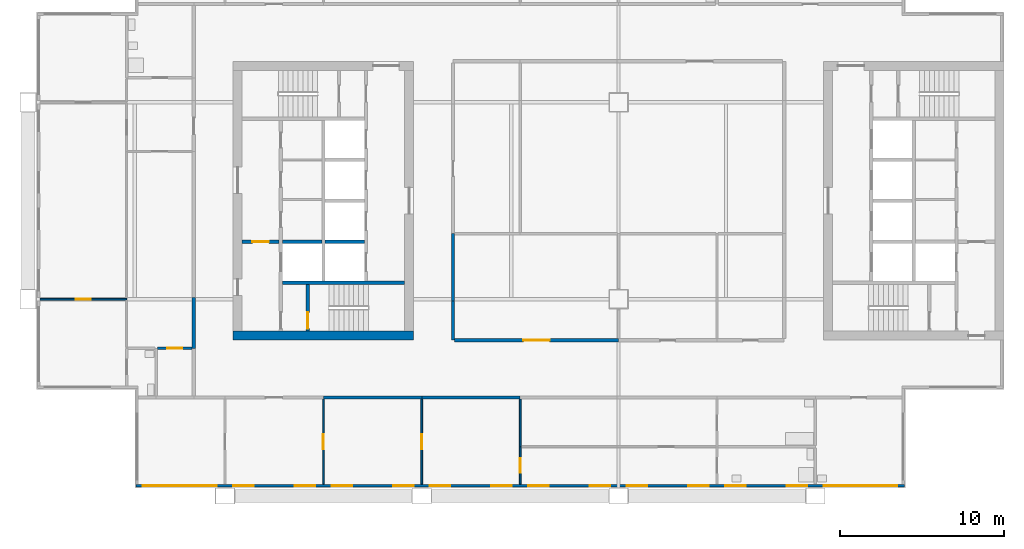
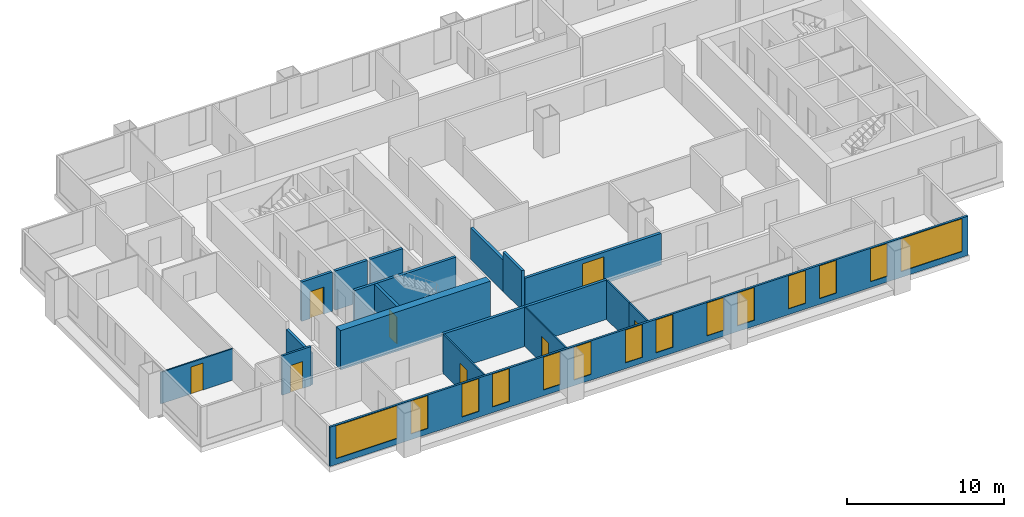
# One storey, part 2 of 9: 19 walls, 14 windows, 8 doors, 22 openings.
"""IFC4 building model written with IfcOpenShell, lengths in metres."""

from ifc_helpers import new_model, si_unit, direction, frame, frame_2d, origin, place, context, subcontext, project, spatial, rectangle, extrude, material, layer, layer_set, type_object, element, fill, save


model = new_model("IFC4")

# Units and contexts
model_context = context("Model", 3, precision=1e-05, world=origin(), true_north=direction((0.0, 1.0)))
body_context = subcontext(model_context, "Body", "Model", "MODEL_VIEW")
ifc_project = project(units=[si_unit("LENGTHUNIT", "METRE"), si_unit("AREAUNIT", "SQUARE_METRE"), si_unit("VOLUMEUNIT", "CUBIC_METRE"), si_unit("PLANEANGLEUNIT", "RADIAN"), si_unit("MASSUNIT", "GRAM", prefix="KILO")], contexts=[model_context])

# Site, building, storey
site_placement = place(None, origin())
site = spatial("IfcSite", under=ifc_project, at=site_placement, CompositionType="ELEMENT")
building_placement = place(site_placement, origin())
building = spatial("IfcBuilding", under=site, at=building_placement, Name="Kitamizu Gate Tower and Museum", CompositionType="ELEMENT")
storey_placement = place(building_placement, frame((0.0, 0.0, 196.199951171875)))
storey = spatial("IfcBuildingStorey", under=building, at=storey_placement, Name="L52", CompositionType="ELEMENT", Elevation=196.199951171875)

# Wall
ifc_material_1 = material(Name="Concrete Fc42", Category="concrete")
ifc_layer_1 = layer(ifc_material_1, 0.550048828125)
ifc_layer_set_1 = layer_set([ifc_layer_1], Name="Concrete Fc42")
wall_type_1 = type_object("IfcWallType", Name="Core wall 550", PredefinedType="SHEAR", material=ifc_layer_set_1)
wall_1_placement = place(storey_placement, frame((12.5, 21.77490234375, 0.0), z_axis=(0.0, 0.0, 1.0), x_axis=(1.0, 0.0, 0.0)))
element("IfcWall", 1, at=wall_1_placement, inside=storey, type_object=wall_type_1, Name="Core wall WS", PredefinedType="SHEAR", context=body_context, shape_type="SweptSolid", body=[
    extrude(rectangle(XDim=11.0, YDim=0.550048828125, at=frame_2d((5.5, 0.0))), origin(), (0.0, 0.0, 1.0), 3.050048828125),
])

# Wall, opening, door
ifc_material_2 = material(Name="Gypsum board on galvanised stud")
ifc_layer_2 = layer(ifc_material_2, 0.10009765625)
ifc_layer_set_2 = layer_set([ifc_layer_2], Name="Gypsum board on galvanised stud")
wall_type_2 = type_object("IfcWallType", Name="Partition 100 NOT RATED", PredefinedType="PARTITIONING", material=ifc_layer_set_2)
wall_2_placement = place(storey_placement, frame((18.0, 12.719970703125, 0.0), z_axis=(0.0, 0.0, 1.0), x_axis=(0.0, 1.0, 0.0)))
wall_2 = element("IfcWall", 2, at=wall_2_placement, inside=storey, type_object=wall_type_2, Name="Partition L52-005", PredefinedType="PARTITIONING", context=body_context, shape_type="SweptSolid", body=[
    extrude(rectangle(XDim=5.179931640625, YDim=0.10009765625, at=frame_2d((2.58984375, 0.0))), origin(), (0.0, 0.0, 1.0), 3.050048828125),
])
opening_1_placement = place(wall_2_placement, frame((2.139892578125, 0.0, 0.0)))
opening_1 = element("IfcOpeningElement", 3, at=opening_1_placement, cuts=wall_2, Name="Opening L52-003", PredefinedType="OPENING", context=body_context, shape_type="SweptSolid", body=[
    extrude(rectangle(XDim=0.89990234375, YDim=2.10009765625, at=frame_2d((0.449951171875, 1.050048828125))), frame((0.0, 0.06005859375, 0.0), z_axis=(0.0, -1.0, 0.0), x_axis=(1.0, 0.0, 0.0)), (0.0, 0.0, 1.0), 0.1201171875),
])
ifc_material_3 = material(Name="Timber door set", Category="wood")
door_type_1 = type_object("IfcDoorType", Name="Room door 900", OperationType="NOTDEFINED", PredefinedType="DOOR", material=ifc_material_3)
door_1_placement = place(opening_1_placement, frame((0.89990234375, 0.0, 0.0), x_axis=(-1.0, 0.0, 0.0)))
door_1 = element("IfcDoor", 4, at=door_1_placement, inside=storey, type_object=door_type_1, Name="Door L52-003", OperationType="SINGLE_SWING_LEFT", OverallHeight=2.10009765625, OverallWidth=0.89990234375, PredefinedType="DOOR", context=body_context, shape_type="SweptSolid", body=[
    extrude(rectangle(XDim=0.89990234375, YDim=2.10009765625, at=frame_2d((0.449951171875, 1.050048828125))), frame((0.0, 0.02490234375, 0.0), z_axis=(0.0, -1.0, 0.0), x_axis=(1.0, 0.0, 0.0)), (0.0, 0.0, 1.0), 0.050048828125),
])
fill(opening_1, door_1)

wall_3_placement = place(storey_placement, frame((24.0, 12.719970703125, 0.0), z_axis=(0.0, 0.0, 1.0), x_axis=(0.0, 1.0, 0.0)))
wall_3 = element("IfcWall", 5, at=wall_3_placement, inside=storey, type_object=wall_type_2, Name="Partition L52-007", PredefinedType="PARTITIONING", context=body_context, shape_type="SweptSolid", body=[
    extrude(rectangle(XDim=5.179931640625, YDim=0.10009765625, at=frame_2d((2.58984375, 0.0))), origin(), (0.0, 0.0, 1.0), 3.050048828125),
])
opening_2_placement = place(wall_3_placement, frame((2.139892578125, 0.0, 0.0)))
opening_2 = element("IfcOpeningElement", 6, at=opening_2_placement, cuts=wall_3, Name="Opening L52-004", PredefinedType="OPENING", context=body_context, shape_type="SweptSolid", body=[
    extrude(rectangle(XDim=0.89990234375, YDim=2.10009765625, at=frame_2d((0.449951171875, 1.050048828125))), frame((0.0, 0.06005859375, 0.0), z_axis=(0.0, -1.0, 0.0), x_axis=(1.0, 0.0, 0.0)), (0.0, 0.0, 1.0), 0.1201171875),
])
door_2_placement = place(opening_2_placement, origin())
door_2 = element("IfcDoor", 7, at=door_2_placement, inside=storey, type_object=door_type_1, Name="Door L52-004", OperationType="SINGLE_SWING_LEFT", OverallHeight=2.10009765625, OverallWidth=0.89990234375, PredefinedType="DOOR", context=body_context, shape_type="SweptSolid", body=[
    extrude(rectangle(XDim=0.89990234375, YDim=2.10009765625, at=frame_2d((0.449951171875, 1.050048828125))), frame((0.0, 0.02490234375, 0.0), z_axis=(0.0, -1.0, 0.0), x_axis=(1.0, 0.0, 0.0)), (0.0, 0.0, 1.0), 0.050048828125),
])
fill(opening_2, door_2)

wall_4_placement = place(storey_placement, frame((30.0, 12.719970703125, 0.0), z_axis=(0.0, 0.0, 1.0), x_axis=(0.0, 1.0, 0.0)))
wall_4 = element("IfcWall", 8, at=wall_4_placement, inside=storey, type_object=wall_type_2, Name="Partition L52-009", PredefinedType="PARTITIONING", context=body_context, shape_type="SweptSolid", body=[
    extrude(rectangle(XDim=2.280029296875, YDim=0.10009765625, at=frame_2d((1.14013671875, 0.0))), origin(), (0.0, 0.0, 1.0), 3.050048828125),
])
opening_3_placement = place(wall_4_placement, frame((0.68994140625, 0.0, 0.0)))
opening_3 = element("IfcOpeningElement", 9, at=opening_3_placement, cuts=wall_4, Name="Opening L52-005", PredefinedType="OPENING", context=body_context, shape_type="SweptSolid", body=[
    extrude(rectangle(XDim=0.89990234375, YDim=2.10009765625, at=frame_2d((0.449951171875, 1.050048828125))), frame((0.0, 0.06005859375, 0.0), z_axis=(0.0, -1.0, 0.0), x_axis=(1.0, 0.0, 0.0)), (0.0, 0.0, 1.0), 0.1201171875),
])
door_3_placement = place(opening_3_placement, frame((0.89990234375, 0.0, 0.0), x_axis=(-1.0, 0.0, 0.0)))
door_3 = element("IfcDoor", 10, at=door_3_placement, inside=storey, type_object=door_type_1, Name="Door L52-005", OperationType="SINGLE_SWING_LEFT", OverallHeight=2.10009765625, OverallWidth=0.89990234375, PredefinedType="DOOR", context=body_context, shape_type="SweptSolid", body=[
    extrude(rectangle(XDim=0.89990234375, YDim=2.10009765625, at=frame_2d((0.449951171875, 1.050048828125))), frame((0.0, 0.02490234375, 0.0), z_axis=(0.0, -1.0, 0.0), x_axis=(1.0, 0.0, 0.0)), (0.0, 0.0, 1.0), 0.050048828125),
])
fill(opening_3, door_3)

# Wall
wall_5_placement = place(storey_placement, frame((30.0, 15.0, 0.0), z_axis=(0.0, 0.0, 1.0), x_axis=(0.0, 1.0, 0.0)))
element("IfcWall", 11, at=wall_5_placement, inside=storey, type_object=wall_type_2, Name="Partition L52-010", PredefinedType="PARTITIONING", context=body_context, shape_type="SweptSolid", body=[
    extrude(rectangle(XDim=2.89990234375, YDim=0.10009765625, at=frame_2d((1.449951171875, 0.0))), origin(), (0.0, 0.0, 1.0), 3.050048828125),
])

# Wall, opening, door
wall_6_placement = place(storey_placement, frame((6.0, 24.0, 0.0), z_axis=(0.0, 0.0, 1.0), x_axis=(-1.0, 0.0, 0.0)))
wall_6 = element("IfcWall", 12, at=wall_6_placement, inside=storey, type_object=wall_type_2, Name="Partition L52-038", PredefinedType="PARTITIONING", context=body_context, shape_type="SweptSolid", body=[
    extrude(rectangle(XDim=5.280029296875, YDim=0.10009765625, at=frame_2d((2.64013671875, 0.0))), origin(), (0.0, 0.0, 1.0), 2.449951171875),
])
opening_4_placement = place(wall_6_placement, frame((2.18994140625, 0.0, 0.0)))
opening_4 = element("IfcOpeningElement", 13, at=opening_4_placement, cuts=wall_6, Name="Opening L52-019", PredefinedType="OPENING", context=body_context, shape_type="SweptSolid", body=[
    extrude(rectangle(XDim=0.89990234375, YDim=2.10009765625, at=frame_2d((0.449951171875, 1.050048828125))), frame((0.0, 0.06005859375, 0.0), z_axis=(0.0, -1.0, 0.0), x_axis=(1.0, 0.0, 0.0)), (0.0, 0.0, 1.0), 0.1201171875),
])
door_4_placement = place(opening_4_placement, origin())
door_4 = element("IfcDoor", 14, at=door_4_placement, inside=storey, type_object=door_type_1, Name="Door L52-019", OperationType="SINGLE_SWING_RIGHT", OverallHeight=2.10009765625, OverallWidth=0.89990234375, PredefinedType="DOOR", context=body_context, shape_type="SweptSolid", body=[
    extrude(rectangle(XDim=0.89990234375, YDim=2.10009765625, at=frame_2d((0.449951171875, 1.050048828125))), frame((0.0, 0.02490234375, 0.0), z_axis=(0.0, -1.0, 0.0), x_axis=(1.0, 0.0, 0.0)), (0.0, 0.0, 1.0), 0.050048828125),
])
fill(opening_4, door_4)

ifc_material_4 = material(Name="Gypsum board on galvanised stud")
ifc_layer_3 = layer(ifc_material_4, 0.14990234375)
ifc_layer_set_3 = layer_set([ifc_layer_3], Name="Gypsum board on galvanised stud")
wall_type_3 = type_object("IfcWallType", Name="Partition 150", PredefinedType="PARTITIONING", material=ifc_layer_set_3)
wall_7_placement = place(storey_placement, frame((10.0, 21.0, 0.0), z_axis=(0.0, 0.0, 1.0), x_axis=(-1.0, 0.0, 0.0)))
wall_7 = element("IfcWall", 15, at=wall_7_placement, inside=storey, type_object=wall_type_3, Name="Partition L52-048", PredefinedType="PARTITIONING", context=body_context, shape_type="SweptSolid", body=[
    extrude(rectangle(XDim=2.125, YDim=0.14990234375, at=frame_2d((1.0625, 0.0))), origin(), (0.0, 0.0, 1.0), 3.050048828125),
])
opening_5_placement = place(wall_7_placement, frame((0.612548828125, 0.0, 0.0)))
opening_5 = element("IfcOpeningElement", 16, at=opening_5_placement, cuts=wall_7, Name="Opening L52-023", PredefinedType="OPENING", context=body_context, shape_type="SweptSolid", body=[
    extrude(rectangle(XDim=0.89990234375, YDim=2.10009765625, at=frame_2d((0.449951171875, 1.050048828125))), frame((0.0, 0.0849609375, 0.0), z_axis=(0.0, -1.0, 0.0), x_axis=(1.0, 0.0, 0.0)), (0.0, 0.0, 1.0), 0.169921875),
])
ifc_material_5 = material(Name="Timber door set", Category="wood")
door_type_2 = type_object("IfcDoorType", Name="Bathroom door 900", OperationType="NOTDEFINED", PredefinedType="DOOR", material=ifc_material_5)
door_5_placement = place(opening_5_placement, origin())
door_5 = element("IfcDoor", 17, at=door_5_placement, inside=storey, type_object=door_type_2, Name="Bathroom door L52-023", OperationType="SINGLE_SWING_RIGHT", OverallHeight=2.10009765625, OverallWidth=0.89990234375, PredefinedType="DOOR", context=body_context, shape_type="SweptSolid", body=[
    extrude(rectangle(XDim=0.89990234375, YDim=2.10009765625, at=frame_2d((0.449951171875, 1.050048828125))), frame((0.0, 0.02490234375, 0.0), z_axis=(0.0, -1.0, 0.0), x_axis=(1.0, 0.0, 0.0)), (0.0, 0.0, 1.0), 0.050048828125),
])
fill(opening_5, door_5)

# Walls
ifc_material_6 = material(Name="Gypsum board on galvanised stud")
ifc_layer_4 = layer(ifc_material_6, 0.199951171875)
ifc_layer_set_4 = layer_set([ifc_layer_4], Name="Gypsum board on galvanised stud")
wall_type_4 = type_object("IfcWallType", Name="Partition 200", PredefinedType="PARTITIONING", material=ifc_layer_set_4)
for number, where, z_axis, x_axis, name in (
    (18, (24.0, 18.0, 0.0), (0.0, 0.0, 1.0), (-1.0, 0.0, 0.0), "Partition L52-008"),
    (19, (30.0, 18.0, 0.0), (0.0, 0.0, 1.0), (-1.0, 0.0, 0.0), "Partition L52-011"),
):
    element("IfcWall", number, at=place(storey_placement, frame(where, z_axis=z_axis, x_axis=x_axis)), inside=storey, type_object=wall_type_4, Name=name, PredefinedType="PARTITIONING", context=body_context, shape_type="SweptSolid", body=[
        extrude(rectangle(XDim=6.0, YDim=0.199951171875, at=frame_2d((3.0, 0.0))), origin(), (0.0, 0.0, 1.0), 3.050048828125),
    ])
wall_8_placement = place(storey_placement, frame((10.10009765625, 21.0, 0.0), z_axis=(0.0, 0.0, 1.0), x_axis=(0.0, 1.0, 0.0)))
element("IfcWall", 20, at=wall_8_placement, inside=storey, type_object=wall_type_4, Name="Partition L52-051", PredefinedType="PARTITIONING", context=body_context, shape_type="SweptSolid", body=[
    extrude(rectangle(XDim=3.10009765625, YDim=0.199951171875, at=frame_2d((1.550048828125, 0.0))), origin(), (0.0, 0.0, 1.0), 2.449951171875),
])
wall_9_placement = place(storey_placement, frame((25.89990234375, 28.0, 0.0), z_axis=(0.0, 0.0, 1.0), x_axis=(0.0, -1.0, 0.0)))
element("IfcWall", 21, at=wall_9_placement, inside=storey, type_object=wall_type_4, Name="Partition L52-057", PredefinedType="PARTITIONING", context=body_context, shape_type="SweptSolid", body=[
    extrude(rectangle(XDim=4.10009765625, YDim=0.199951171875, at=frame_2d((2.050048828125, 0.0))), origin(), (0.0, 0.0, 1.0), 2.449951171875),
])
wall_10_placement = place(storey_placement, frame((25.89990234375, 23.89990234375, 0.0), z_axis=(0.0, 0.0, 1.0), x_axis=(0.0, -1.0, 0.0)))
element("IfcWall", 22, at=wall_10_placement, inside=storey, type_object=wall_type_4, Name="Partition L52-058", PredefinedType="PARTITIONING", context=body_context, shape_type="SweptSolid", body=[
    extrude(rectangle(XDim=2.39990234375, YDim=0.199951171875, at=frame_2d((1.199951171875, 0.0))), origin(), (0.0, 0.0, 1.0), 3.050048828125),
])

# Wall, opening, door
wall_11_placement = place(storey_placement, frame((26.0, 21.5, 0.0), z_axis=(0.0, 0.0, 1.0), x_axis=(1.0, 0.0, 0.0)))
wall_11 = element("IfcWall", 23, at=wall_11_placement, inside=storey, type_object=wall_type_4, Name="Partition L52-059", PredefinedType="PARTITIONING", context=body_context, shape_type="SweptSolid", body=[
    extrude(rectangle(XDim=10.0, YDim=0.199951171875, at=frame_2d((5.0, 0.0))), origin(), (0.0, 0.0, 1.0), 2.449951171875),
])
opening_6_placement = place(wall_11_placement, frame((4.199951171875, 0.0, 0.0)))
opening_6 = element("IfcOpeningElement", 24, at=opening_6_placement, cuts=wall_11, Name="Opening L52-025", PredefinedType="OPENING", context=body_context, shape_type="SweptSolid", body=[
    extrude(rectangle(XDim=1.60009765625, YDim=2.10009765625, at=frame_2d((0.800048828125, 1.050048828125))), frame((0.0, 0.10986328125, 0.0), z_axis=(0.0, -1.0, 0.0), x_axis=(1.0, 0.0, 0.0)), (0.0, 0.0, 1.0), 0.219970703125),
])
ifc_material_7 = material(Name="Timber door set", Category="wood")
door_type_3 = type_object("IfcDoorType", Name="Double door 1600", OperationType="DOUBLE_DOOR_SINGLE_SWING", PredefinedType="DOOR", material=ifc_material_7)
door_6_placement = place(opening_6_placement, origin())
door_6 = element("IfcDoor", 25, at=door_6_placement, inside=storey, type_object=door_type_3, Name="Double door L52-025", OperationType="DOUBLE_DOOR_SINGLE_SWING", OverallHeight=2.10009765625, OverallWidth=1.60009765625, PredefinedType="DOOR", context=body_context, shape_type="SweptSolid", body=[
    extrude(rectangle(XDim=1.60009765625, YDim=2.10009765625, at=frame_2d((0.800048828125, 1.050048828125))), frame((0.0, 0.02490234375, 0.0), z_axis=(0.0, -1.0, 0.0), x_axis=(1.0, 0.0, 0.0)), (0.0, 0.0, 1.0), 0.050048828125),
])
fill(opening_6, door_6)

# Wall
ifc_material_8 = material(Name="Concrete Fc42", Category="concrete")
ifc_layer_5 = layer(ifc_material_8, 0.199951171875)
ifc_layer_set_5 = layer_set([ifc_layer_5], Name="Concrete Fc42")
wall_type_5 = type_object("IfcWallType", Name="Shaft wall 200", PredefinedType="SOLIDWALL", material=ifc_layer_set_5)
wall_12_placement = place(storey_placement, frame((15.5, 25.0, 0.0), z_axis=(0.0, 0.0, 1.0), x_axis=(1.0, 0.0, 0.0)))
element("IfcWall", 26, at=wall_12_placement, inside=storey, type_object=wall_type_5, Name="Shaft wall WSB", PredefinedType="SOLIDWALL", context=body_context, shape_type="SweptSolid", body=[
    extrude(rectangle(XDim=7.449951171875, YDim=0.199951171875, at=frame_2d((3.72509765625, 0.0))), origin(), (0.0, 0.0, 1.0), 3.050048828125),
])

# Wall, opening, door
wall_13_placement = place(storey_placement, frame((13.050048828125, 27.5, 0.0), z_axis=(0.0, 0.0, 1.0), x_axis=(1.0, 0.0, 0.0)))
wall_13 = element("IfcWall", 27, at=wall_13_placement, inside=storey, type_object=wall_type_5, Name="Shaft wall WFFN", PredefinedType="SOLIDWALL", context=body_context, shape_type="SweptSolid", body=[
    extrude(rectangle(XDim=2.25, YDim=0.199951171875, at=frame_2d((1.125, 0.0))), origin(), (0.0, 0.0, 1.0), 3.050048828125),
])
opening_7_placement = place(wall_13_placement, frame((0.625, 0.0, 0.0)))
opening_7 = element("IfcOpeningElement", 28, at=opening_7_placement, cuts=wall_13, Name="Opening L52-034", PredefinedType="OPENING", context=body_context, shape_type="SweptSolid", body=[
    extrude(rectangle(XDim=1.0, YDim=2.10009765625, at=frame_2d((0.5, 1.050048828125))), frame((0.0, 0.10986328125, 0.0), z_axis=(0.0, -1.0, 0.0), x_axis=(1.0, 0.0, 0.0)), (0.0, 0.0, 1.0), 0.219970703125),
])
ifc_material_9 = material(Name="Hollow metal door set")
door_type_4 = type_object("IfcDoorType", Name="Fire door 1000", OperationType="NOTDEFINED", PredefinedType="DOOR", material=ifc_material_9)
door_7_placement = place(opening_7_placement, frame((1.0, 0.0, 0.0), x_axis=(-1.0, 0.0, 0.0)))
door_7 = element("IfcDoor", 29, at=door_7_placement, inside=storey, type_object=door_type_4, Name="Fire-fighting lobby door L52-034", OperationType="SINGLE_SWING_RIGHT", OverallHeight=2.10009765625, OverallWidth=1.0, PredefinedType="DOOR", context=body_context, shape_type="SweptSolid", body=[
    extrude(rectangle(XDim=1.0, YDim=2.10009765625, at=frame_2d((0.5, 1.050048828125))), frame((0.0, 0.02490234375, 0.0), z_axis=(0.0, -1.0, 0.0), x_axis=(1.0, 0.0, 0.0)), (0.0, 0.0, 1.0), 0.050048828125),
])
fill(opening_7, door_7)

wall_14_placement = place(storey_placement, frame((17.050048828125, 22.050048828125, 0.0), z_axis=(0.0, 0.0, 1.0), x_axis=(0.0, 1.0, 0.0)))
wall_14 = element("IfcWall", 30, at=wall_14_placement, inside=storey, type_object=wall_type_5, Name="Shaft wall WSZ", PredefinedType="SOLIDWALL", context=body_context, shape_type="SweptSolid", body=[
    extrude(rectangle(XDim=2.849853515625, YDim=0.199951171875, at=frame_2d((1.4248046875, 0.0))), origin(), (0.0, 0.0, 1.0), 3.050048828125),
])
opening_8_placement = place(wall_14_placement, frame((0.14990234375, 0.0, 0.0)))
opening_8 = element("IfcOpeningElement", 31, at=opening_8_placement, cuts=wall_14, Name="Opening L52-030", PredefinedType="OPENING", context=body_context, shape_type="SweptSolid", body=[
    extrude(rectangle(XDim=1.0, YDim=2.10009765625, at=frame_2d((0.5, 1.050048828125))), frame((0.0, 0.10986328125, 0.0), z_axis=(0.0, -1.0, 0.0), x_axis=(1.0, 0.0, 0.0)), (0.0, 0.0, 1.0), 0.219970703125),
])
door_8_placement = place(opening_8_placement, frame((1.0, 0.0, 0.0), x_axis=(-1.0, 0.0, 0.0)))
door_8 = element("IfcDoor", 32, at=door_8_placement, inside=storey, type_object=door_type_4, Name="Stair door L52-030", OperationType="SINGLE_SWING_LEFT", OverallHeight=2.10009765625, OverallWidth=1.0, PredefinedType="DOOR", context=body_context, shape_type="SweptSolid", body=[
    extrude(rectangle(XDim=1.0, YDim=2.10009765625, at=frame_2d((0.5, 1.050048828125))), frame((0.0, 0.02490234375, 0.0), z_axis=(0.0, -1.0, 0.0), x_axis=(1.0, 0.0, 0.0)), (0.0, 0.0, 1.0), 0.050048828125),
])
fill(opening_8, door_8)

# Walls
for number, where, z_axis, x_axis, name in (
    (33, (15.5, 27.5, 0.0), (0.0, 0.0, 1.0), (1.0, 0.0, 0.0), "Shaft wall WDVW0"),
    (34, (18.10009765625, 27.5, 0.0), (0.0, 0.0, 1.0), (1.0, 0.0, 0.0), "Shaft wall WDVE0"),
):
    element("IfcWall", number, at=place(storey_placement, frame(where, z_axis=z_axis, x_axis=x_axis)), inside=storey, type_object=wall_type_5, Name=name, PredefinedType="SOLIDWALL", context=body_context, shape_type="SweptSolid", body=[
        extrude(rectangle(XDim=2.39990234375, YDim=0.199951171875, at=frame_2d((1.199951171875, 0.0))), origin(), (0.0, 0.0, 1.0), 3.050048828125),
    ])

# Wall, openings, windows
ifc_material_10 = material(Name="Bronze anodised aluminium frame with insulated spandrel and tinted glass", Category="aluminium")
ifc_layer_6 = layer(ifc_material_10, 0.14990234375)
ifc_layer_set_6 = layer_set([ifc_layer_6], Name="Bronze anodised aluminium frame with insulated spandrel and tinted glass")
wall_type_6 = type_object("IfcWallType", Name="WINDOW WALL 150 BRONZE FRAME EI 30", PredefinedType="ELEMENTEDWALL", material=ifc_layer_set_6)
wall_15_placement = place(storey_placement, frame((6.56005859375, 12.635009765625, 0.0), z_axis=(0.0, 0.0, 1.0), x_axis=(1.0, 0.0, 0.0)))
wall_15 = element("IfcWall", 35, at=wall_15_placement, inside=storey, type_object=wall_type_6, Name="Window wall south L52", PredefinedType="ELEMENTEDWALL", context=body_context, shape_type="SweptSolid", body=[
    extrude(rectangle(XDim=46.8798828125, YDim=0.14990234375, at=frame_2d((23.43994140625, 0.0))), origin(), (0.0, 0.0, 1.0), 3.050048828125),
])
opening_9_placement = place(wall_15_placement, frame((0.43994140625, 0.0, 0.449951171875)))
opening_9 = element("IfcOpeningElement", 36, at=opening_9_placement, cuts=wall_15, Name="Opening W15", PredefinedType="OPENING", context=body_context, shape_type="SweptSolid", body=[
    extrude(rectangle(XDim=4.5, YDim=2.550048828125, at=frame_2d((2.25, 1.27490234375))), frame((0.0, 0.0849609375, 0.0), z_axis=(0.0, -1.0, 0.0), x_axis=(1.0, 0.0, 0.0)), (0.0, 0.0, 1.0), 0.169921875),
])
opening_10_placement = place(wall_15_placement, frame((5.93994140625, 0.0, 0.449951171875)))
opening_10 = element("IfcOpeningElement", 37, at=opening_10_placement, cuts=wall_15, Name="Opening W27", PredefinedType="OPENING", context=body_context, shape_type="SweptSolid", body=[
    extrude(rectangle(XDim=1.25, YDim=2.550048828125, at=frame_2d((0.625, 1.27490234375))), frame((0.0, 0.0849609375, 0.0), z_axis=(0.0, -1.0, 0.0), x_axis=(1.0, 0.0, 0.0)), (0.0, 0.0, 1.0), 0.169921875),
])
opening_11_placement = place(wall_15_placement, frame((9.68994140625, 0.0, 0.449951171875)))
opening_11 = element("IfcOpeningElement", 38, at=opening_11_placement, cuts=wall_15, Name="Opening W27", PredefinedType="OPENING", context=body_context, shape_type="SweptSolid", body=[
    extrude(rectangle(XDim=1.25, YDim=2.550048828125, at=frame_2d((0.625, 1.27490234375))), frame((0.0, 0.0849609375, 0.0), z_axis=(0.0, -1.0, 0.0), x_axis=(1.0, 0.0, 0.0)), (0.0, 0.0, 1.0), 0.169921875),
])
opening_12_placement = place(wall_15_placement, frame((11.93994140625, 0.0, 0.449951171875)))
opening_12 = element("IfcOpeningElement", 39, at=opening_12_placement, cuts=wall_15, Name="Opening W27", PredefinedType="OPENING", context=body_context, shape_type="SweptSolid", body=[
    extrude(rectangle(XDim=1.25, YDim=2.550048828125, at=frame_2d((0.625, 1.27490234375))), frame((0.0, 0.0849609375, 0.0), z_axis=(0.0, -1.0, 0.0), x_axis=(1.0, 0.0, 0.0)), (0.0, 0.0, 1.0), 0.169921875),
])
opening_13_placement = place(wall_15_placement, frame((15.68994140625, 0.0, 0.449951171875)))
opening_13 = element("IfcOpeningElement", 40, at=opening_13_placement, cuts=wall_15, Name="Opening W27", PredefinedType="OPENING", context=body_context, shape_type="SweptSolid", body=[
    extrude(rectangle(XDim=1.25, YDim=2.550048828125, at=frame_2d((0.625, 1.27490234375))), frame((0.0, 0.0849609375, 0.0), z_axis=(0.0, -1.0, 0.0), x_axis=(1.0, 0.0, 0.0)), (0.0, 0.0, 1.0), 0.169921875),
])
opening_14_placement = place(wall_15_placement, frame((17.93994140625, 0.0, 0.449951171875)))
opening_14 = element("IfcOpeningElement", 41, at=opening_14_placement, cuts=wall_15, Name="Opening W27", PredefinedType="OPENING", context=body_context, shape_type="SweptSolid", body=[
    extrude(rectangle(XDim=1.25, YDim=2.550048828125, at=frame_2d((0.625, 1.27490234375))), frame((0.0, 0.0849609375, 0.0), z_axis=(0.0, -1.0, 0.0), x_axis=(1.0, 0.0, 0.0)), (0.0, 0.0, 1.0), 0.169921875),
])
opening_15_placement = place(wall_15_placement, frame((21.68994140625, 0.0, 0.449951171875)))
opening_15 = element("IfcOpeningElement", 42, at=opening_15_placement, cuts=wall_15, Name="Opening W27", PredefinedType="OPENING", context=body_context, shape_type="SweptSolid", body=[
    extrude(rectangle(XDim=1.25, YDim=2.550048828125, at=frame_2d((0.625, 1.27490234375))), frame((0.0, 0.0849609375, 0.0), z_axis=(0.0, -1.0, 0.0), x_axis=(1.0, 0.0, 0.0)), (0.0, 0.0, 1.0), 0.169921875),
])
opening_16_placement = place(wall_15_placement, frame((23.93994140625, 0.0, 0.449951171875)))
opening_16 = element("IfcOpeningElement", 43, at=opening_16_placement, cuts=wall_15, Name="Opening W27", PredefinedType="OPENING", context=body_context, shape_type="SweptSolid", body=[
    extrude(rectangle(XDim=1.25, YDim=2.550048828125, at=frame_2d((0.625, 1.27490234375))), frame((0.0, 0.0849609375, 0.0), z_axis=(0.0, -1.0, 0.0), x_axis=(1.0, 0.0, 0.0)), (0.0, 0.0, 1.0), 0.169921875),
])
opening_17_placement = place(wall_15_placement, frame((27.68994140625, 0.0, 0.449951171875)))
opening_17 = element("IfcOpeningElement", 44, at=opening_17_placement, cuts=wall_15, Name="Opening W27", PredefinedType="OPENING", context=body_context, shape_type="SweptSolid", body=[
    extrude(rectangle(XDim=1.25, YDim=2.550048828125, at=frame_2d((0.625, 1.27490234375))), frame((0.0, 0.0849609375, 0.0), z_axis=(0.0, -1.0, 0.0), x_axis=(1.0, 0.0, 0.0)), (0.0, 0.0, 1.0), 0.169921875),
])
opening_18_placement = place(wall_15_placement, frame((29.93994140625, 0.0, 0.449951171875)))
opening_18 = element("IfcOpeningElement", 45, at=opening_18_placement, cuts=wall_15, Name="Opening W27", PredefinedType="OPENING", context=body_context, shape_type="SweptSolid", body=[
    extrude(rectangle(XDim=1.25, YDim=2.550048828125, at=frame_2d((0.625, 1.27490234375))), frame((0.0, 0.0849609375, 0.0), z_axis=(0.0, -1.0, 0.0), x_axis=(1.0, 0.0, 0.0)), (0.0, 0.0, 1.0), 0.169921875),
])
opening_19_placement = place(wall_15_placement, frame((33.68994140625, 0.0, 0.449951171875)))
opening_19 = element("IfcOpeningElement", 46, at=opening_19_placement, cuts=wall_15, Name="Opening W27", PredefinedType="OPENING", context=body_context, shape_type="SweptSolid", body=[
    extrude(rectangle(XDim=1.25, YDim=2.550048828125, at=frame_2d((0.625, 1.27490234375))), frame((0.0, 0.0849609375, 0.0), z_axis=(0.0, -1.0, 0.0), x_axis=(1.0, 0.0, 0.0)), (0.0, 0.0, 1.0), 0.169921875),
])
opening_20_placement = place(wall_15_placement, frame((35.93994140625, 0.0, 0.449951171875)))
opening_20 = element("IfcOpeningElement", 47, at=opening_20_placement, cuts=wall_15, Name="Opening W27", PredefinedType="OPENING", context=body_context, shape_type="SweptSolid", body=[
    extrude(rectangle(XDim=1.25, YDim=2.550048828125, at=frame_2d((0.625, 1.27490234375))), frame((0.0, 0.0849609375, 0.0), z_axis=(0.0, -1.0, 0.0), x_axis=(1.0, 0.0, 0.0)), (0.0, 0.0, 1.0), 0.169921875),
])
opening_21_placement = place(wall_15_placement, frame((39.68994140625, 0.0, 0.449951171875)))
opening_21 = element("IfcOpeningElement", 48, at=opening_21_placement, cuts=wall_15, Name="Opening W27", PredefinedType="OPENING", context=body_context, shape_type="SweptSolid", body=[
    extrude(rectangle(XDim=1.25, YDim=2.550048828125, at=frame_2d((0.625, 1.27490234375))), frame((0.0, 0.0849609375, 0.0), z_axis=(0.0, -1.0, 0.0), x_axis=(1.0, 0.0, 0.0)), (0.0, 0.0, 1.0), 0.169921875),
])
opening_22_placement = place(wall_15_placement, frame((41.93994140625, 0.0, 0.449951171875)))
opening_22 = element("IfcOpeningElement", 49, at=opening_22_placement, cuts=wall_15, Name="Opening W15", PredefinedType="OPENING", context=body_context, shape_type="SweptSolid", body=[
    extrude(rectangle(XDim=4.5, YDim=2.550048828125, at=frame_2d((2.25, 1.27490234375))), frame((0.0, 0.0849609375, 0.0), z_axis=(0.0, -1.0, 0.0), x_axis=(1.0, 0.0, 0.0)), (0.0, 0.0, 1.0), 0.169921875),
])
ifc_material_11 = material(Name="Bronze anodised aluminium frame, tinted triple glazing", Category="aluminium")
window_type_1 = type_object("IfcWindowType", Name="WINDOW 1250 x 2550 SILL 450", PartitioningType="SINGLE_PANEL", PredefinedType="WINDOW", material=ifc_material_11)
window_1_placement = place(opening_10_placement, origin())
window_1 = element("IfcWindow", 50, at=window_1_placement, inside=storey, type_object=window_type_1, Name="Window W27 L52", OverallHeight=2.550048828125, OverallWidth=1.25, PartitioningType="SINGLE_PANEL", PredefinedType="WINDOW", context=body_context, shape_type="SweptSolid", body=[
    extrude(rectangle(XDim=1.25, YDim=2.550048828125, at=frame_2d((0.625, 1.27490234375))), frame((0.0, 0.030029296875, 0.0), z_axis=(0.0, -1.0, 0.0), x_axis=(1.0, 0.0, 0.0)), (0.0, 0.0, 1.0), 0.06005859375),
])
fill(opening_10, window_1)
window_2_placement = place(opening_11_placement, origin())
window_2 = element("IfcWindow", 51, at=window_2_placement, inside=storey, type_object=window_type_1, Name="Window W27 L52", OverallHeight=2.550048828125, OverallWidth=1.25, PartitioningType="SINGLE_PANEL", PredefinedType="WINDOW", context=body_context, shape_type="SweptSolid", body=[
    extrude(rectangle(XDim=1.25, YDim=2.550048828125, at=frame_2d((0.625, 1.27490234375))), frame((0.0, 0.030029296875, 0.0), z_axis=(0.0, -1.0, 0.0), x_axis=(1.0, 0.0, 0.0)), (0.0, 0.0, 1.0), 0.06005859375),
])
fill(opening_11, window_2)
window_3_placement = place(opening_12_placement, origin())
window_3 = element("IfcWindow", 52, at=window_3_placement, inside=storey, type_object=window_type_1, Name="Window W27 L52", OverallHeight=2.550048828125, OverallWidth=1.25, PartitioningType="SINGLE_PANEL", PredefinedType="WINDOW", context=body_context, shape_type="SweptSolid", body=[
    extrude(rectangle(XDim=1.25, YDim=2.550048828125, at=frame_2d((0.625, 1.27490234375))), frame((0.0, 0.030029296875, 0.0), z_axis=(0.0, -1.0, 0.0), x_axis=(1.0, 0.0, 0.0)), (0.0, 0.0, 1.0), 0.06005859375),
])
fill(opening_12, window_3)
window_4_placement = place(opening_13_placement, origin())
window_4 = element("IfcWindow", 53, at=window_4_placement, inside=storey, type_object=window_type_1, Name="Window W27 L52", OverallHeight=2.550048828125, OverallWidth=1.25, PartitioningType="SINGLE_PANEL", PredefinedType="WINDOW", context=body_context, shape_type="SweptSolid", body=[
    extrude(rectangle(XDim=1.25, YDim=2.550048828125, at=frame_2d((0.625, 1.27490234375))), frame((0.0, 0.030029296875, 0.0), z_axis=(0.0, -1.0, 0.0), x_axis=(1.0, 0.0, 0.0)), (0.0, 0.0, 1.0), 0.06005859375),
])
fill(opening_13, window_4)
window_5_placement = place(opening_14_placement, origin())
window_5 = element("IfcWindow", 54, at=window_5_placement, inside=storey, type_object=window_type_1, Name="Window W27 L52", OverallHeight=2.550048828125, OverallWidth=1.25, PartitioningType="SINGLE_PANEL", PredefinedType="WINDOW", context=body_context, shape_type="SweptSolid", body=[
    extrude(rectangle(XDim=1.25, YDim=2.550048828125, at=frame_2d((0.625, 1.27490234375))), frame((0.0, 0.030029296875, 0.0), z_axis=(0.0, -1.0, 0.0), x_axis=(1.0, 0.0, 0.0)), (0.0, 0.0, 1.0), 0.06005859375),
])
fill(opening_14, window_5)
window_6_placement = place(opening_15_placement, origin())
window_6 = element("IfcWindow", 55, at=window_6_placement, inside=storey, type_object=window_type_1, Name="Window W27 L52", OverallHeight=2.550048828125, OverallWidth=1.25, PartitioningType="SINGLE_PANEL", PredefinedType="WINDOW", context=body_context, shape_type="SweptSolid", body=[
    extrude(rectangle(XDim=1.25, YDim=2.550048828125, at=frame_2d((0.625, 1.27490234375))), frame((0.0, 0.030029296875, 0.0), z_axis=(0.0, -1.0, 0.0), x_axis=(1.0, 0.0, 0.0)), (0.0, 0.0, 1.0), 0.06005859375),
])
fill(opening_15, window_6)
window_7_placement = place(opening_16_placement, origin())
window_7 = element("IfcWindow", 56, at=window_7_placement, inside=storey, type_object=window_type_1, Name="Window W27 L52", OverallHeight=2.550048828125, OverallWidth=1.25, PartitioningType="SINGLE_PANEL", PredefinedType="WINDOW", context=body_context, shape_type="SweptSolid", body=[
    extrude(rectangle(XDim=1.25, YDim=2.550048828125, at=frame_2d((0.625, 1.27490234375))), frame((0.0, 0.030029296875, 0.0), z_axis=(0.0, -1.0, 0.0), x_axis=(1.0, 0.0, 0.0)), (0.0, 0.0, 1.0), 0.06005859375),
])
fill(opening_16, window_7)
window_8_placement = place(opening_17_placement, origin())
window_8 = element("IfcWindow", 57, at=window_8_placement, inside=storey, type_object=window_type_1, Name="Window W27 L52", OverallHeight=2.550048828125, OverallWidth=1.25, PartitioningType="SINGLE_PANEL", PredefinedType="WINDOW", context=body_context, shape_type="SweptSolid", body=[
    extrude(rectangle(XDim=1.25, YDim=2.550048828125, at=frame_2d((0.625, 1.27490234375))), frame((0.0, 0.030029296875, 0.0), z_axis=(0.0, -1.0, 0.0), x_axis=(1.0, 0.0, 0.0)), (0.0, 0.0, 1.0), 0.06005859375),
])
fill(opening_17, window_8)
window_9_placement = place(opening_18_placement, origin())
window_9 = element("IfcWindow", 58, at=window_9_placement, inside=storey, type_object=window_type_1, Name="Window W27 L52", OverallHeight=2.550048828125, OverallWidth=1.25, PartitioningType="SINGLE_PANEL", PredefinedType="WINDOW", context=body_context, shape_type="SweptSolid", body=[
    extrude(rectangle(XDim=1.25, YDim=2.550048828125, at=frame_2d((0.625, 1.27490234375))), frame((0.0, 0.030029296875, 0.0), z_axis=(0.0, -1.0, 0.0), x_axis=(1.0, 0.0, 0.0)), (0.0, 0.0, 1.0), 0.06005859375),
])
fill(opening_18, window_9)
window_10_placement = place(opening_19_placement, origin())
window_10 = element("IfcWindow", 59, at=window_10_placement, inside=storey, type_object=window_type_1, Name="Window W27 L52", OverallHeight=2.550048828125, OverallWidth=1.25, PartitioningType="SINGLE_PANEL", PredefinedType="WINDOW", context=body_context, shape_type="SweptSolid", body=[
    extrude(rectangle(XDim=1.25, YDim=2.550048828125, at=frame_2d((0.625, 1.27490234375))), frame((0.0, 0.030029296875, 0.0), z_axis=(0.0, -1.0, 0.0), x_axis=(1.0, 0.0, 0.0)), (0.0, 0.0, 1.0), 0.06005859375),
])
fill(opening_19, window_10)
window_11_placement = place(opening_20_placement, origin())
window_11 = element("IfcWindow", 60, at=window_11_placement, inside=storey, type_object=window_type_1, Name="Window W27 L52", OverallHeight=2.550048828125, OverallWidth=1.25, PartitioningType="SINGLE_PANEL", PredefinedType="WINDOW", context=body_context, shape_type="SweptSolid", body=[
    extrude(rectangle(XDim=1.25, YDim=2.550048828125, at=frame_2d((0.625, 1.27490234375))), frame((0.0, 0.030029296875, 0.0), z_axis=(0.0, -1.0, 0.0), x_axis=(1.0, 0.0, 0.0)), (0.0, 0.0, 1.0), 0.06005859375),
])
fill(opening_20, window_11)
window_12_placement = place(opening_21_placement, origin())
window_12 = element("IfcWindow", 61, at=window_12_placement, inside=storey, type_object=window_type_1, Name="Window W27 L52", OverallHeight=2.550048828125, OverallWidth=1.25, PartitioningType="SINGLE_PANEL", PredefinedType="WINDOW", context=body_context, shape_type="SweptSolid", body=[
    extrude(rectangle(XDim=1.25, YDim=2.550048828125, at=frame_2d((0.625, 1.27490234375))), frame((0.0, 0.030029296875, 0.0), z_axis=(0.0, -1.0, 0.0), x_axis=(1.0, 0.0, 0.0)), (0.0, 0.0, 1.0), 0.06005859375),
])
fill(opening_21, window_12)
ifc_material_12 = material(Name="Bronze anodised aluminium frame, tinted triple glazing", Category="aluminium")
window_type_2 = type_object("IfcWindowType", Name="WINDOW 4500 x 2550 SILL 450", PartitioningType="SINGLE_PANEL", PredefinedType="WINDOW", material=ifc_material_12)
window_13_placement = place(opening_9_placement, origin())
window_13 = element("IfcWindow", 62, at=window_13_placement, inside=storey, type_object=window_type_2, Name="Window W15 L52", OverallHeight=2.550048828125, OverallWidth=4.5, PartitioningType="SINGLE_PANEL", PredefinedType="WINDOW", context=body_context, shape_type="SweptSolid", body=[
    extrude(rectangle(XDim=4.5, YDim=2.550048828125, at=frame_2d((2.25, 1.27490234375))), frame((0.0, 0.030029296875, 0.0), z_axis=(0.0, -1.0, 0.0), x_axis=(1.0, 0.0, 0.0)), (0.0, 0.0, 1.0), 0.06005859375),
])
fill(opening_9, window_13)
window_14_placement = place(opening_22_placement, origin())
window_14 = element("IfcWindow", 63, at=window_14_placement, inside=storey, type_object=window_type_2, Name="Window W15 L52", OverallHeight=2.550048828125, OverallWidth=4.5, PartitioningType="SINGLE_PANEL", PredefinedType="WINDOW", context=body_context, shape_type="SweptSolid", body=[
    extrude(rectangle(XDim=4.5, YDim=2.550048828125, at=frame_2d((2.25, 1.27490234375))), frame((0.0, 0.030029296875, 0.0), z_axis=(0.0, -1.0, 0.0), x_axis=(1.0, 0.0, 0.0)), (0.0, 0.0, 1.0), 0.06005859375),
])
fill(opening_22, window_14)

save(model, "model.ifc")
